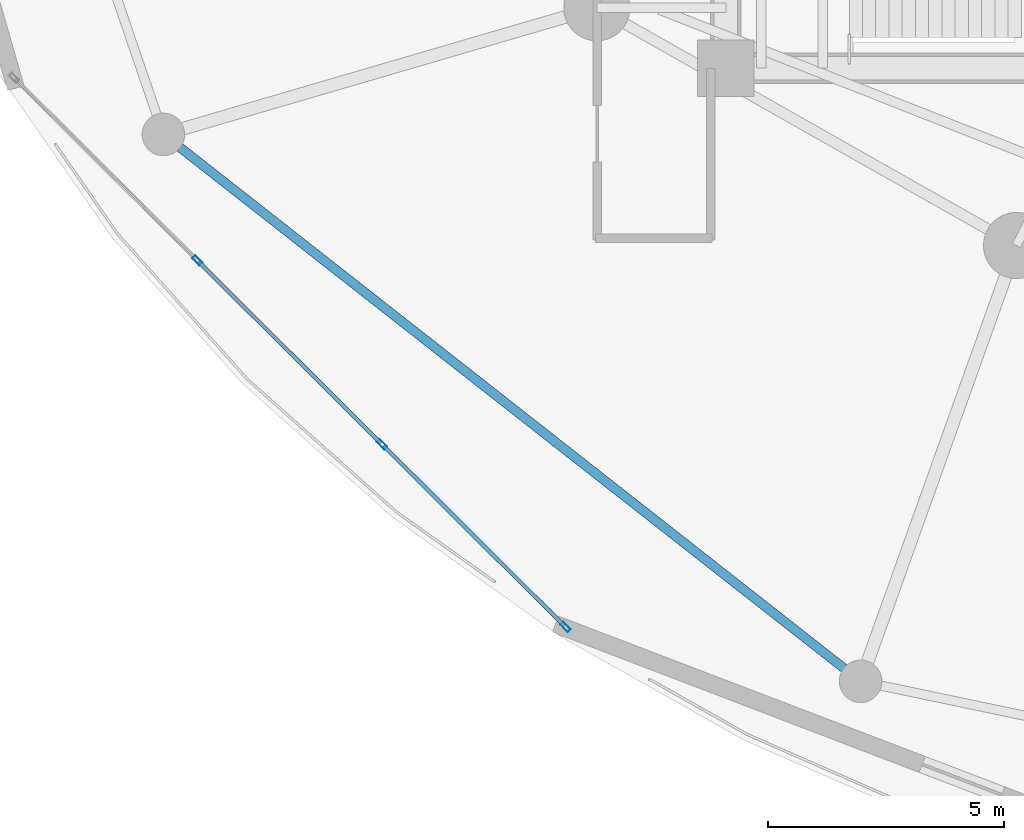
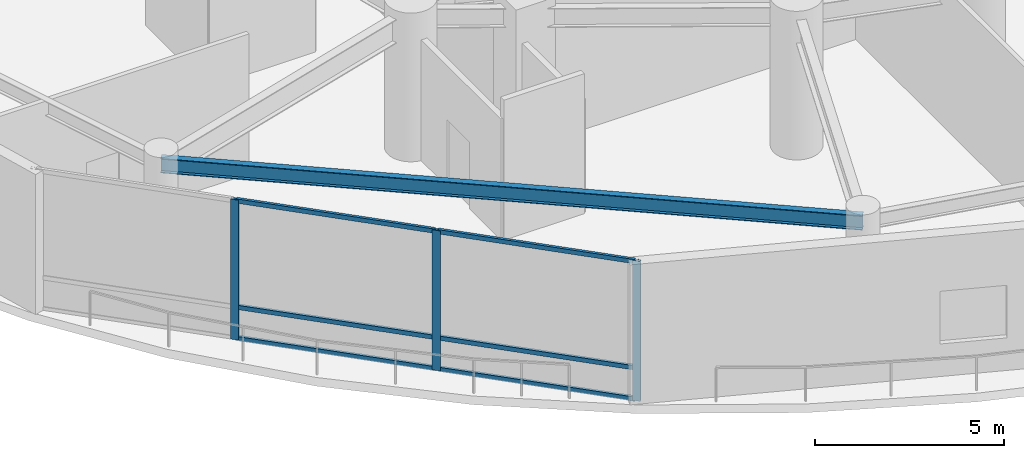
# One storey, part 2 of 36: 9 members, 1 beam, 1 element without a shape of its own.
"""IFC4 building model written with IfcOpenShell, lengths in metres."""

from ifc_helpers import new_model, si_unit, direction, frame, origin, origin_2d, place, context, subcontext, project, spatial, hollow_rectangle, i_section, extrude, material, layer, layer_set, material_profile, profile_set, type_object, element, aggregate, save


model = new_model("IFC4")

# Units and contexts
model_context = context("Model", 3, precision=1e-05, world=origin(), true_north=direction((0.0, 1.0)))
body_context = subcontext(model_context, "Body", "Model", "MODEL_VIEW")
ifc_project = project(units=[si_unit("LENGTHUNIT", "METRE"), si_unit("AREAUNIT", "SQUARE_METRE"), si_unit("VOLUMEUNIT", "CUBIC_METRE"), si_unit("PLANEANGLEUNIT", "RADIAN"), si_unit("MASSUNIT", "GRAM", prefix="KILO")], contexts=[model_context])

# Site, building, storey
site_placement = place(None, origin())
site = spatial("IfcSite", under=ifc_project, at=site_placement, CompositionType="ELEMENT")
building_placement = place(site_placement, origin())
building = spatial("IfcBuilding", under=site, at=building_placement, Name="Kazevale Care Tower and Concert Hall", CompositionType="ELEMENT")
storey_placement = place(building_placement, frame((0.0, 0.0, 14.39990234375)))
storey = spatial("IfcBuildingStorey", under=building, at=storey_placement, Name="L03", CompositionType="ELEMENT", Elevation=14.39990234375)

# Curtain wall, members
ifc_material_1 = material(Name="Aluminium 6063-T6 and Low-E Glass", Category="aluminium")
ifc_layer = layer(ifc_material_1, 0.179931640625)
ifc_layer_set = layer_set([ifc_layer], Name="Aluminium 6063-T6 and Low-E Glass")
curtain_wall_type = type_object("IfcCurtainWallType", Name="Podium Double-Skin Medical Curtain Wall CW-1", PredefinedType="NOTDEFINED", material=ifc_layer_set)
curtain_wall_placement = place(storey_placement, origin())
curtain_wall = element("IfcCurtainWall", 1, at=curtain_wall_placement, inside=storey, type_object=curtain_wall_type, Name="cw:L03:pod:09", PredefinedType="NOTDEFINED")
ifc_material_2 = material(Name="Aluminium 6063-T6", Category="aluminium")
ifc_material_profile_1 = material_profile(ifc_material_2, hollow_rectangle(XDim=0.090087890625, YDim=0.219970703125, WallThickness=0.0048828125, at=origin_2d()), Name="ALU90x220x5")
ifc_profile_set_1 = profile_set([ifc_material_profile_1], Name="Aluminium 6063-T6")
member_type_1 = type_object("IfcMemberType", Name="CW-1 Mullion ALU90x220x5", PredefinedType="MULLION", material=ifc_profile_set_1)
member_1_placement = place(storey_placement, frame((10.817626953125, 19.535400390625, 0.0), z_axis=(0.0, 0.0, 1.0), x_axis=(0.705655814257, 0.708554776856, 0.0)))
member_1 = element("IfcMember", 2, at=member_1_placement, type_object=member_type_1, Name="CW-1 mullion 2", PredefinedType="MULLION", context=body_context, shape_type="SweptSolid", body=[
    extrude(hollow_rectangle(XDim=0.090087890625, YDim=0.219970703125, WallThickness=0.0048828125, at=origin_2d()), origin(), (0.0, 0.0, 1.0), 4.52001953125),
])
member_2_placement = place(storey_placement, frame((14.728271484375, 15.640625, 0.0), z_axis=(0.0, 0.0, 1.0), x_axis=(0.705655814257, 0.708554776856, 0.0)))
member_2 = element("IfcMember", 3, at=member_2_placement, type_object=member_type_1, Name="CW-1 mullion 3", PredefinedType="MULLION", context=body_context, shape_type="SweptSolid", body=[
    extrude(hollow_rectangle(XDim=0.090087890625, YDim=0.219970703125, WallThickness=0.0048828125, at=origin_2d()), origin(), (0.0, 0.0, 1.0), 4.52001953125),
])
member_3_placement = place(storey_placement, frame((18.607177734375, 11.77783203125, 0.0), z_axis=(0.0, 0.0, 1.0), x_axis=(0.705655814257, 0.708554776856, 0.0)))
member_3 = element("IfcMember", 4, at=member_3_placement, type_object=member_type_1, Name="CW-1 mullion 4", PredefinedType="MULLION", context=body_context, shape_type="SweptSolid", body=[
    extrude(hollow_rectangle(XDim=0.090087890625, YDim=0.219970703125, WallThickness=0.0048828125, at=origin_2d()), origin(), (0.0, 0.0, 1.0), 4.52001953125),
])
ifc_material_profile_2 = material_profile(ifc_material_2, hollow_rectangle(XDim=0.080078125, YDim=0.139892578125, WallThickness=0.00390625, at=origin_2d()), Name="ALU80x140x4")
ifc_profile_set_2 = profile_set([ifc_material_profile_2], Name="Aluminium 6063-T6")
member_type_2 = type_object("IfcMemberType", Name="CW-1 Transom ALU80x140x4", PredefinedType="USERDEFINED", material=ifc_profile_set_2)
member_4_placement = place(storey_placement, frame((10.849609375, 19.503662109375, 0.0400390625), z_axis=(0.708544259539, -0.705666374624, 0.0), x_axis=(0.705666374624, 0.708544259539, 0.0)))
member_4 = element("IfcMember", 5, at=member_4_placement, type_object=member_type_2, Name="CW-1 transom 2.1", ObjectType="TRANSOM", PredefinedType="USERDEFINED", context=body_context, shape_type="SweptSolid", body=[
    extrude(hollow_rectangle(XDim=0.080078125, YDim=0.139892578125, WallThickness=0.00390625, at=origin_2d()), origin(), (0.0, 0.0, 1.0), 5.429443359375),
])
member_5_placement = place(storey_placement, frame((10.849609375, 19.503662109375, 1.050048828125), z_axis=(0.708544259539, -0.705666374624, 0.0), x_axis=(0.705666374624, 0.708544259539, 0.0)))
member_5 = element("IfcMember", 6, at=member_5_placement, type_object=member_type_2, Name="CW-1 transom 2.2", ObjectType="TRANSOM", PredefinedType="USERDEFINED", context=body_context, shape_type="SweptSolid", body=[
    extrude(hollow_rectangle(XDim=0.080078125, YDim=0.139892578125, WallThickness=0.00390625, at=origin_2d()), origin(), (0.0, 0.0, 1.0), 5.429443359375),
])
member_6_placement = place(storey_placement, frame((10.849609375, 19.503662109375, 4.47998046875), z_axis=(0.708544259539, -0.705666374624, 0.0), x_axis=(0.705666374624, 0.708544259539, 0.0)))
member_6 = element("IfcMember", 7, at=member_6_placement, type_object=member_type_2, Name="CW-1 transom 2.3", ObjectType="TRANSOM", PredefinedType="USERDEFINED", context=body_context, shape_type="SweptSolid", body=[
    extrude(hollow_rectangle(XDim=0.080078125, YDim=0.139892578125, WallThickness=0.00390625, at=origin_2d()), origin(), (0.0, 0.0, 1.0), 5.429443359375),
])
member_7_placement = place(storey_placement, frame((14.76025390625, 15.60888671875, 0.0400390625), z_axis=(0.708556322862, -0.705654261896, 0.0), x_axis=(0.705654261896, 0.708556322862, 0.0)))
member_7 = element("IfcMember", 8, at=member_7_placement, type_object=member_type_2, Name="CW-1 transom 3.1", ObjectType="TRANSOM", PredefinedType="USERDEFINED", context=body_context, shape_type="SweptSolid", body=[
    extrude(hollow_rectangle(XDim=0.080078125, YDim=0.139892578125, WallThickness=0.00390625, at=origin_2d()), origin(), (0.0, 0.0, 1.0), 5.384033203125),
])
member_8_placement = place(storey_placement, frame((14.76025390625, 15.60888671875, 1.050048828125), z_axis=(0.708556322862, -0.705654261896, 0.0), x_axis=(0.705654261896, 0.708556322862, 0.0)))
member_8 = element("IfcMember", 9, at=member_8_placement, type_object=member_type_2, Name="CW-1 transom 3.2", ObjectType="TRANSOM", PredefinedType="USERDEFINED", context=body_context, shape_type="SweptSolid", body=[
    extrude(hollow_rectangle(XDim=0.080078125, YDim=0.139892578125, WallThickness=0.00390625, at=origin_2d()), origin(), (0.0, 0.0, 1.0), 5.384033203125),
])
member_9_placement = place(storey_placement, frame((14.76025390625, 15.60888671875, 4.47998046875), z_axis=(0.708556322862, -0.705654261896, 0.0), x_axis=(0.705654261896, 0.708556322862, 0.0)))
member_9 = element("IfcMember", 10, at=member_9_placement, type_object=member_type_2, Name="CW-1 transom 3.3", ObjectType="TRANSOM", PredefinedType="USERDEFINED", context=body_context, shape_type="SweptSolid", body=[
    extrude(hollow_rectangle(XDim=0.080078125, YDim=0.139892578125, WallThickness=0.00390625, at=origin_2d()), origin(), (0.0, 0.0, 1.0), 5.384033203125),
])
aggregate(curtain_wall, [member_1, member_2, member_3, member_4, member_5, member_6, member_7, member_8, member_9])

# Beam
ifc_material_3 = material(Name="Steel ASTM A572 Gr 50", Category="steel")
ifc_material_profile_3 = material_profile(ifc_material_3, i_section(OverallWidth=0.194091796875, OverallDepth=0.468994140625, WebThickness=0.0126953125, FlangeThickness=0.0205078125, at=origin_2d()), Name="W460x106")
ifc_profile_set_3 = profile_set([ifc_material_profile_3], Name="Steel ASTM A572 Gr 50")
beam_type = type_object("IfcBeamType", Name="Podium Floor Beam W460x106", PredefinedType="BEAM", material=ifc_profile_set_3)
beam_placement = place(storey_placement, frame((10.10009765625, 22.199951171875, 4.28564453125), z_axis=(0.786816091325, -0.617187522907, 0.0), x_axis=(0.617187522907, 0.786816091325, 0.0)))
element("IfcBeam", 11, at=beam_placement, inside=storey, type_object=beam_type, Name="beam:L03:podring:08", PredefinedType="BEAM", context=body_context, shape_type="SweptSolid", body=[
    extrude(i_section(OverallWidth=0.194091796875, OverallDepth=0.468994140625, WebThickness=0.0126953125, FlangeThickness=0.0205078125, at=origin_2d()), origin(), (0.0, 0.0, 1.0), 18.746337890625),
])

save(model, "model.ifc")
